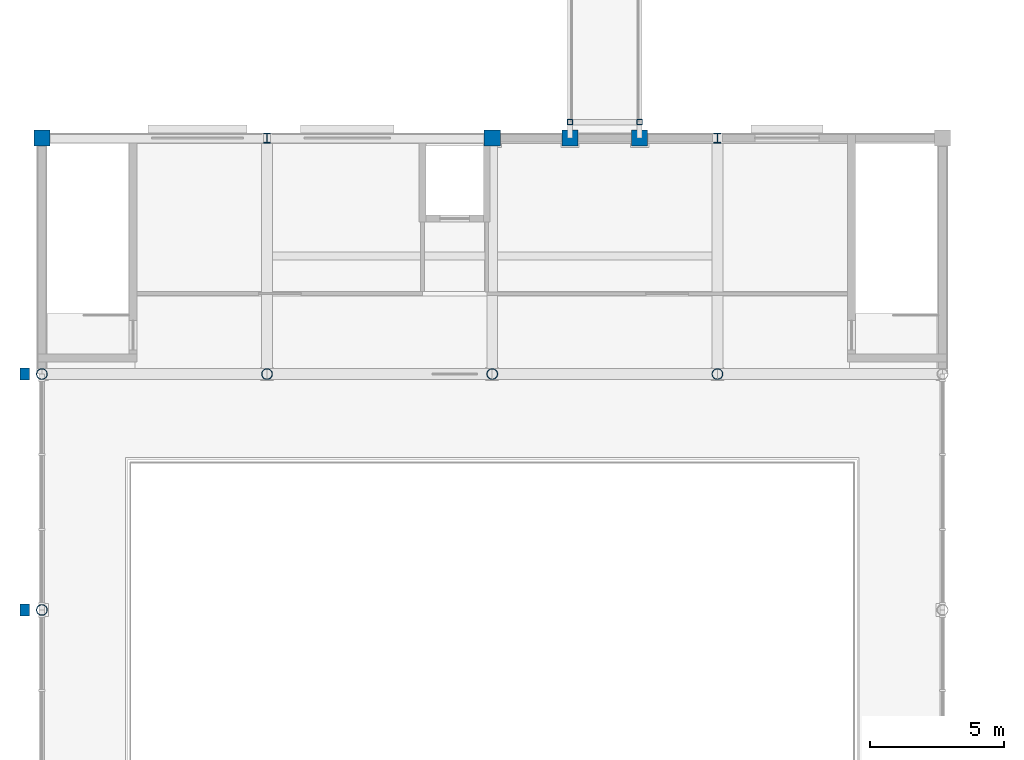
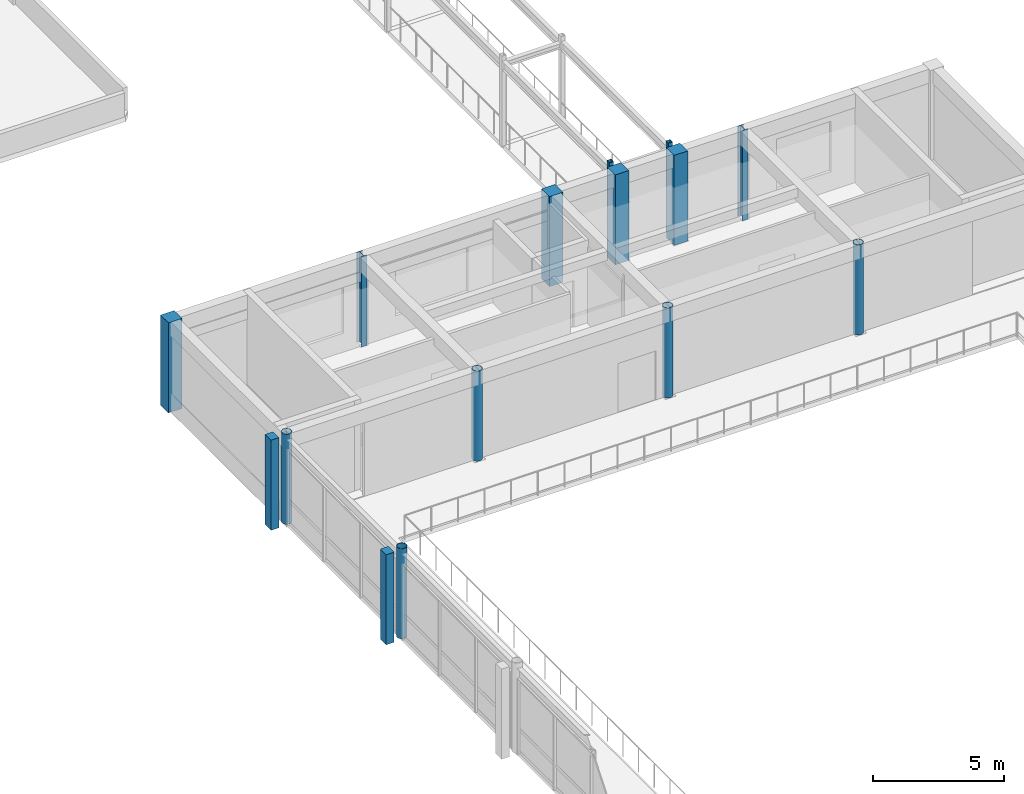
# One storey, part 3 of 57: 15 columns.
"""IFC4 building model written with IfcOpenShell, lengths in metres."""

import ifcopenshell
import ifcopenshell.guid

model = None  # the IFC model being written
_history = None  # IfcOwnerHistory: only IFC2X3 demands one
_inside = {}  # id of a spatial element -> (the spatial element, [elements in it])
_under = {}  # id of a project, library or spatial element -> (it, [spatial elements below it])
_declared = {}  # id of a project -> (the project, [libraries it declares])
_typed = {}  # id of a type object -> (the type object, [elements of that type])
_made_of = {}  # id of a material, layer set ... -> (it, [elements and type objects made of it])


def new_model(schema):
    """Start an empty IFC model of exactly this schema.

    Asked for "IFC4X3", IfcOpenShell would pick the latest addendum, in which some entities
    have other attributes; the version numbers below select the first issue.
    IFC2X3 requires an IfcOwnerHistory on every rooted entity: one is made here for all.
    """
    global model, _history
    if schema == "IFC4X3":
        model = ifcopenshell.file(schema_version=(4, 3, 0, 0))
    else:
        model = ifcopenshell.file(schema=schema)
    _inside.clear()
    _under.clear()
    _declared.clear()
    _typed.clear()
    _made_of.clear()
    _history = None
    if model.schema == "IFC2X3":
        org = make("IfcOrganization", Name="unknown")
        user = make(
            "IfcPersonAndOrganization",
            ThePerson=make("IfcPerson", FamilyName="unknown"),
            TheOrganization=org,
        )
        app = make(
            "IfcApplication",
            ApplicationDeveloper=org,
            Version="unknown",
            ApplicationFullName="unknown",
            ApplicationIdentifier="unknown",
        )
        _history = make(
            "IfcOwnerHistory",
            OwningUser=user,
            OwningApplication=app,
            ChangeAction="ADDED",
            CreationDate=0,
        )
    return model


def make(cls, **values):
    """One entity of the class cls with the attributes given. An attribute that is None is left unset."""
    return model.create_entity(
        cls, **{name: value for name, value in values.items() if value is not None}
    )


def rooted(cls, **values):
    """An entity with a GlobalId (a new one), such as an element, a storey or a relation."""
    return make(cls, GlobalId=ifcopenshell.guid.new(), OwnerHistory=_history, **values)


def si_unit(unit_type, name, prefix=None):
    """IfcSIUnit, for example si_unit("LENGTHUNIT", "METRE", prefix="MILLI")."""
    return make("IfcSIUnit", UnitType=unit_type, Prefix=prefix, Name=name)


def assignment(units):
    """IfcUnitAssignment: the units of a project."""
    return None if units is None else make("IfcUnitAssignment", Units=units)


def point(xyz):
    """IfcCartesianPoint."""
    return None if xyz is None else make("IfcCartesianPoint", Coordinates=xyz)


def direction(xyz):
    """IfcDirection."""
    return None if xyz is None else make("IfcDirection", DirectionRatios=xyz)


def frame(location, z_axis=None, x_axis=None):
    """IfcAxis2Placement3D, a coordinate frame: its origin and axes. An axis left out is left unset."""
    return make(
        "IfcAxis2Placement3D",
        Location=point(location),
        Axis=direction(z_axis),
        RefDirection=direction(x_axis),
    )


def frame_2d(location, x_axis=None):
    """IfcAxis2Placement2D, a coordinate frame in the plane: its origin and x axis."""
    return make(
        "IfcAxis2Placement2D", Location=point(location), RefDirection=direction(x_axis)
    )


def origin():
    """The frame at (0, 0, 0) with its axes left unset."""
    return frame((0.0, 0.0, 0.0))


def origin_2d():
    """The frame at (0, 0) in the plane with its x axis left unset."""
    return frame_2d((0.0, 0.0))


def place(relative_to, where):
    """IfcLocalPlacement: puts the frame where relative to a parent placement (None: the world)."""
    return make(
        "IfcLocalPlacement", PlacementRelTo=relative_to, RelativePlacement=where
    )


def context(
    kind, dimensions, precision=None, world=None, true_north=None, identifier=None
):
    """IfcGeometricRepresentationContext, for example the 3D "Model" context."""
    return make(
        "IfcGeometricRepresentationContext",
        ContextIdentifier=identifier,
        ContextType=kind,
        CoordinateSpaceDimension=dimensions,
        Precision=precision,
        WorldCoordinateSystem=world,
        TrueNorth=true_north,
    )


def subcontext(parent, identifier, kind, view, scale=None):
    """IfcGeometricRepresentationSubContext, for example "Body" below "Model"."""
    return make(
        "IfcGeometricRepresentationSubContext",
        ContextIdentifier=identifier,
        ContextType=kind,
        ParentContext=parent,
        TargetScale=scale,
        TargetView=view,
    )


def project(units=None, contexts=None):
    """IfcProject with its units and contexts."""
    return rooted(
        "IfcProject",
        Name="project",
        RepresentationContexts=contexts,
        UnitsInContext=assignment(units),
    )


def spatial(cls, under=None, at=None, **own):
    """A site, building, storey or space (cls), placed at a placement, below another one or the project."""
    s = rooted(cls, ObjectPlacement=at, **own)
    if under is not None:
        _under.setdefault(under.id(), (under, []))[1].append(s)
    return s


def profile(cls, at=None, kind="AREA", **sizes):
    """A parametric profile (cls). Its sizes go by their IFC names, for example OverallWidth=200.0."""
    return make(cls, ProfileType=kind, Position=at, **sizes)


def rectangle(**sizes):
    """IfcRectangleProfileDef."""
    return profile("IfcRectangleProfileDef", **sizes)


def hollow_rectangle(**sizes):
    """IfcRectangleHollowProfileDef."""
    return profile("IfcRectangleHollowProfileDef", **sizes)


def hollow_circle(**sizes):
    """IfcCircleHollowProfileDef."""
    return profile("IfcCircleHollowProfileDef", **sizes)


def i_section(**sizes):
    """IfcIShapeProfileDef."""
    return profile("IfcIShapeProfileDef", **sizes)


def extrude(swept, where, along, depth):
    """IfcExtrudedAreaSolid: the profile swept, set in the frame where, extruded along a direction by depth."""
    return make(
        "IfcExtrudedAreaSolid",
        SweptArea=swept,
        Position=where,
        ExtrudedDirection=direction(along),
        Depth=depth,
    )


def shape(context_of_items, identifier, shape_type, items):
    """IfcShapeRepresentation: the items that make up one representation, for example the "Body"."""
    return make(
        "IfcShapeRepresentation",
        ContextOfItems=context_of_items,
        RepresentationIdentifier=identifier,
        RepresentationType=shape_type,
        Items=items,
    )


def material(Name=None, Category=None):
    """IfcMaterial."""
    return make("IfcMaterial", Name=Name, Category=Category)


def material_profile(
    of_material, cross_section, Name=None, Category=None, Priority=None
):
    """IfcMaterialProfile: a cross section and its material."""
    return make(
        "IfcMaterialProfile",
        Name=Name,
        Material=of_material,
        Profile=cross_section,
        Priority=Priority,
        Category=Category,
    )


def profile_set(profiles, Name=None, composite=None):
    """IfcMaterialProfileSet."""
    return make(
        "IfcMaterialProfileSet",
        Name=Name,
        MaterialProfiles=profiles,
        CompositeProfile=composite,
    )


def made_of(thing, what):
    """Note that an element or type object is made of a material, layer set ...; save() writes the relation."""
    if what is not None:
        _made_of.setdefault(what.id(), (what, []))[1].append(thing)
    return thing


def type_object(cls, material=None, **own):
    """A type object (cls), such as IfcWallType, which elements share."""
    return made_of(rooted(cls, **own), material)


def element(
    cls,
    number,
    at=None,
    inside=None,
    cuts=None,
    type_object=None,
    material=None,
    context=None,
    identifier="Body",
    shape_type=None,
    held_by="IfcProductDefinitionShape",
    body=None,
    shapes=None,
    **own,
):
    """One element of the class cls, such as IfcWall. Its Tag is "e" and its number.

    at: its placement. inside: the storey or other place that contains it. cuts: it is an
    opening in that element (IfcRelVoidsElement). A single representation is given by context,
    identifier, shape_type and body (its items); several are given by shapes. held_by: the class
    of the entity that holds the representations. save() writes the other relations.
    """
    e = rooted(cls, Tag="e%d" % number, ObjectPlacement=at, **own)
    if body is not None:
        shapes = [shape(context, identifier, shape_type, body)]
    if shapes is not None:
        e.Representation = make(held_by, Representations=shapes)
    if inside is not None:
        _inside.setdefault(inside.id(), (inside, []))[1].append(e)
    if cuts is not None:
        rooted(
            "IfcRelVoidsElement", RelatingBuildingElement=cuts, RelatedOpeningElement=e
        )
    if type_object is not None:
        _typed.setdefault(type_object.id(), (type_object, []))[1].append(e)
    return made_of(e, material)


def aggregate(whole, parts):
    """IfcRelAggregates: a whole, such as a stair, and the parts it consists of."""
    return rooted("IfcRelAggregates", RelatingObject=whole, RelatedObjects=parts)


def save(model, path):
    """Write the relations noted so far, then the file.

    IfcRelAggregates (storeys below a building ...), IfcRelContainedInSpatialStructure (elements
    in a storey), IfcRelDefinesByType, IfcRelAssociatesMaterial and IfcRelDeclares: one each for
    every whole, place, type object, material and project.
    """
    for whole, parts in _under.values():
        aggregate(whole, parts)
    for where, things in _inside.values():
        rooted(
            "IfcRelContainedInSpatialStructure",
            RelatedElements=things,
            RelatingStructure=where,
        )
    for kind, things in _typed.values():
        rooted("IfcRelDefinesByType", RelatedObjects=things, RelatingType=kind)
    for what, things in _made_of.values():
        rooted("IfcRelAssociatesMaterial", RelatedObjects=things, RelatingMaterial=what)
    for by, libraries in _declared.values():
        rooted("IfcRelDeclares", RelatingContext=by, RelatedDefinitions=libraries)
    model.write(path)


model = new_model("IFC4")

# Units and contexts
model_context = context("Model", 3, precision=1e-05, world=origin(), true_north=direction((0.0, 1.0)))
body_context = subcontext(model_context, "Body", "Model", "MODEL_VIEW")
ifc_project = project(units=[si_unit("LENGTHUNIT", "METRE"), si_unit("AREAUNIT", "SQUARE_METRE"), si_unit("VOLUMEUNIT", "CUBIC_METRE"), si_unit("PLANEANGLEUNIT", "RADIAN"), si_unit("MASSUNIT", "GRAM", prefix="KILO")], contexts=[model_context])

# Site, building, storey
site_placement = place(None, origin())
site = spatial("IfcSite", under=ifc_project, at=site_placement, CompositionType="ELEMENT")
building_placement = place(site_placement, origin())
building = spatial("IfcBuilding", under=site, at=building_placement, Name="Kemercrest Conservatory and Botanical Centre", CompositionType="ELEMENT")
storey_placement = place(building_placement, frame((0.0, 0.0, 4.800048828125)))
storey = spatial("IfcBuildingStorey", under=building, at=storey_placement, Name="L01", CompositionType="ELEMENT", Elevation=4.800048828125)

# Columns
ifc_material_1 = material(Name="Concrete C40/50", Category="concrete")
ifc_material_profile_1 = material_profile(ifc_material_1, rectangle(XDim=0.60009765625, YDim=0.60009765625, at=origin_2d()), Name="RC 600x600")
ifc_profile_set_1 = profile_set([ifc_material_profile_1], Name="Concrete C40/50")
column_type_1 = type_object("IfcColumnType", Name="C-RC60", PredefinedType="COLUMN", material=ifc_profile_set_1)
for number, where, z_axis, x_axis, name in (
    (1, (8.0, 60.800048828125, 0.0), (0.0, 0.0, 1.0), (1.0, 0.0, 0.0), "Conservatory north bar column 01/G"),
    (2, (24.800048828125, 60.800048828125, 0.0), (0.0, 0.0, 1.0), (1.0, 0.0, 0.0), "Conservatory north bar column 03/G"),
    (3, (27.699951171875, 60.800048828125, 0.0), (0.0, 0.0, 1.0), (1.0, 0.0, 0.0), "West Botanical Court Covered Passage SJ-2 org pier column 1"),
    (4, (30.300048828125, 60.800048828125, 0.0), (0.0, 0.0, 1.0), (1.0, 0.0, 0.0), "West Botanical Court Covered Passage SJ-2 org pier column 2"),
):
    element("IfcColumn", number, at=place(storey_placement, frame(where, z_axis=z_axis, x_axis=x_axis)), inside=storey, type_object=column_type_1, Name=name, PredefinedType="COLUMN", context=body_context, shape_type="SweptSolid", body=[
        extrude(rectangle(XDim=0.60009765625, YDim=0.60009765625, at=origin_2d()), origin(), (0.0, 0.0, 1.0), 4.199951171875),
    ])
ifc_material_2 = material(Name="Steel CSA G40.21 350W", Category="steel")
ifc_material_profile_2 = material_profile(ifc_material_2, hollow_rectangle(XDim=0.203125, YDim=0.203125, WallThickness=0.0126953125, InnerFilletRadius=0.0126953125, OuterFilletRadius=0.02490234375, at=origin_2d()), Name="HSS 203x203x12.7")
ifc_profile_set_2 = profile_set([ifc_material_profile_2], Name="Steel CSA G40.21 350W")
column_type_2 = type_object("IfcColumnType", Name="C-S203", PredefinedType="COLUMN", material=ifc_profile_set_2)
for number, where, z_axis, x_axis, name in (
    (5, (27.699951171875, 61.39990234375, 0.0), (0.0, 0.0, 1.0), (1.0, 0.0, 0.0), "West Botanical Court Covered Passage SJ-2 support column P0-1"),
    (6, (30.300048828125, 61.39990234375, 0.0), (0.0, 0.0, 1.0), (1.0, 0.0, 0.0), "West Botanical Court Covered Passage SJ-2 support column P0-2"),
):
    element("IfcColumn", number, at=place(storey_placement, frame(where, z_axis=z_axis, x_axis=x_axis)), inside=storey, type_object=column_type_2, Name=name, PredefinedType="COLUMN", context=body_context, shape_type="SweptSolid", body=[
        extrude(hollow_rectangle(XDim=0.203125, YDim=0.203125, WallThickness=0.0126953125, InnerFilletRadius=0.0126953125, OuterFilletRadius=0.02490234375, at=origin_2d()), origin(), (0.0, 0.0, 1.0), 4.199951171875),
    ])
ifc_material_profile_3 = material_profile(ifc_material_2, hollow_circle(Radius=0.203125, WallThickness=0.01611328125, at=origin_2d()), Name="CHS 406.4x16.0")
ifc_profile_set_3 = profile_set([ifc_material_profile_3], Name="Steel CSA G40.21 350W")
column_type_3 = type_object("IfcColumnType", Name="C-S406", PredefinedType="COLUMN", material=ifc_profile_set_3)
for number, where, z_axis, x_axis, name in (
    (7, (8.0, 43.199951171875, 0.0), (0.0, 0.0, 1.0), (1.0, 0.0, 0.0), "Conservatory perimeter steel column 01/E"),
    (8, (8.0, 52.0, 0.0), (0.0, 0.0, 1.0), (1.0, 0.0, 0.0), "Conservatory perimeter steel column 01/F"),
    (9, (16.39990234375, 52.0, 0.0), (0.0, 0.0, 1.0), (1.0, 0.0, 0.0), "Conservatory perimeter steel column 02/F"),
    (10, (24.800048828125, 52.0, 0.0), (0.0, 0.0, 1.0), (1.0, 0.0, 0.0), "Conservatory perimeter steel column 03/F"),
    (11, (33.199951171875, 52.0, 0.0), (0.0, 0.0, 1.0), (1.0, 0.0, 0.0), "Conservatory perimeter steel column 04/F"),
):
    element("IfcColumn", number, at=place(storey_placement, frame(where, z_axis=z_axis, x_axis=x_axis)), inside=storey, type_object=column_type_3, Name=name, PredefinedType="COLUMN", context=body_context, shape_type="SweptSolid", body=[
        extrude(hollow_circle(Radius=0.203125, WallThickness=0.01611328125, at=origin_2d()), origin(), (0.0, 0.0, 1.0), 4.199951171875),
    ])
ifc_material_profile_4 = material_profile(ifc_material_2, i_section(OverallWidth=0.257080078125, OverallDepth=0.363037109375, WebThickness=0.012939453125, FlangeThickness=0.021728515625, FilletRadius=0.01611328125, at=origin_2d()), Name="W360X122")
ifc_profile_set_4 = profile_set([ifc_material_profile_4], Name="Steel CSA G40.21 350W")
column_type_4 = type_object("IfcColumnType", Name="C-W360", PredefinedType="COLUMN", material=ifc_profile_set_4)
for number, where, z_axis, x_axis, name in (
    (12, (16.39990234375, 60.800048828125, 0.0), (0.0, 0.0, 1.0), (1.0, 0.0, 0.0), "Conservatory north bar column 02/G"),
    (13, (33.199951171875, 60.800048828125, 0.0), (0.0, 0.0, 1.0), (1.0, 0.0, 0.0), "Conservatory north bar column 04/G"),
):
    element("IfcColumn", number, at=place(storey_placement, frame(where, z_axis=z_axis, x_axis=x_axis)), inside=storey, type_object=column_type_4, Name=name, PredefinedType="COLUMN", context=body_context, shape_type="SweptSolid", body=[
        extrude(i_section(OverallWidth=0.257080078125, OverallDepth=0.363037109375, WebThickness=0.012939453125, FlangeThickness=0.021728515625, FilletRadius=0.01611328125, at=origin_2d()), origin(), (0.0, 0.0, 1.0), 4.199951171875),
    ])
ifc_material_3 = material(Name="Precast concrete C40/50", Category="concrete")
ifc_material_profile_5 = material_profile(ifc_material_3, rectangle(XDim=0.35009765625, YDim=0.449951171875, at=origin_2d()), Name="RC 450x350")
ifc_profile_set_5 = profile_set([ifc_material_profile_5], Name="Precast concrete C40/50")
column_type_5 = type_object("IfcColumnType", Name="PL-450", PredefinedType="PILASTER", material=ifc_profile_set_5)
for number, where, z_axis, x_axis, name in (
    (14, (7.360107421875, 43.199951171875, 0.0), (0.0, 0.0, 1.0), (1.0, 0.0, 0.0), "Conservatory facade stone pilaster 01/E"),
    (15, (7.360107421875, 52.0, 0.0), (0.0, 0.0, 1.0), (1.0, 0.0, 0.0), "Conservatory facade stone pilaster 01/F"),
):
    element("IfcColumn", number, at=place(storey_placement, frame(where, z_axis=z_axis, x_axis=x_axis)), inside=storey, type_object=column_type_5, Name=name, PredefinedType="PILASTER", context=body_context, shape_type="SweptSolid", body=[
        extrude(rectangle(XDim=0.35009765625, YDim=0.449951171875, at=origin_2d()), origin(), (0.0, 0.0, 1.0), 4.199951171875),
    ])

save(model, "model.ifc")
